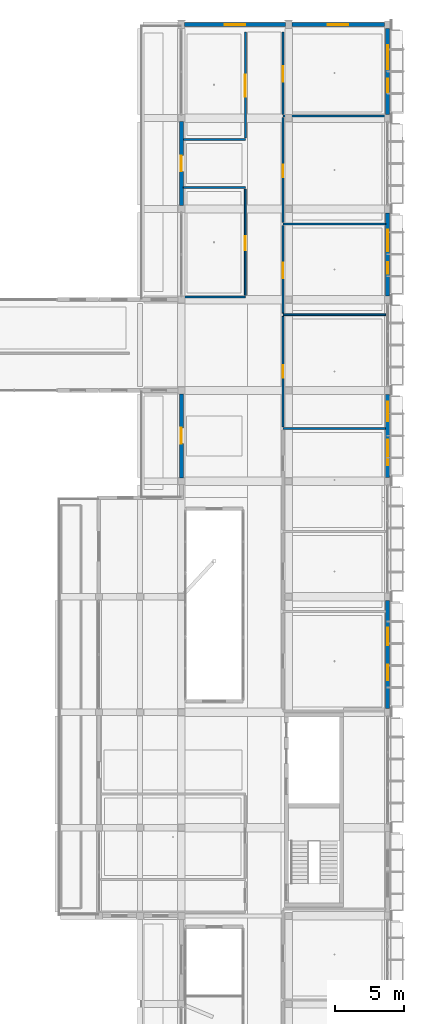
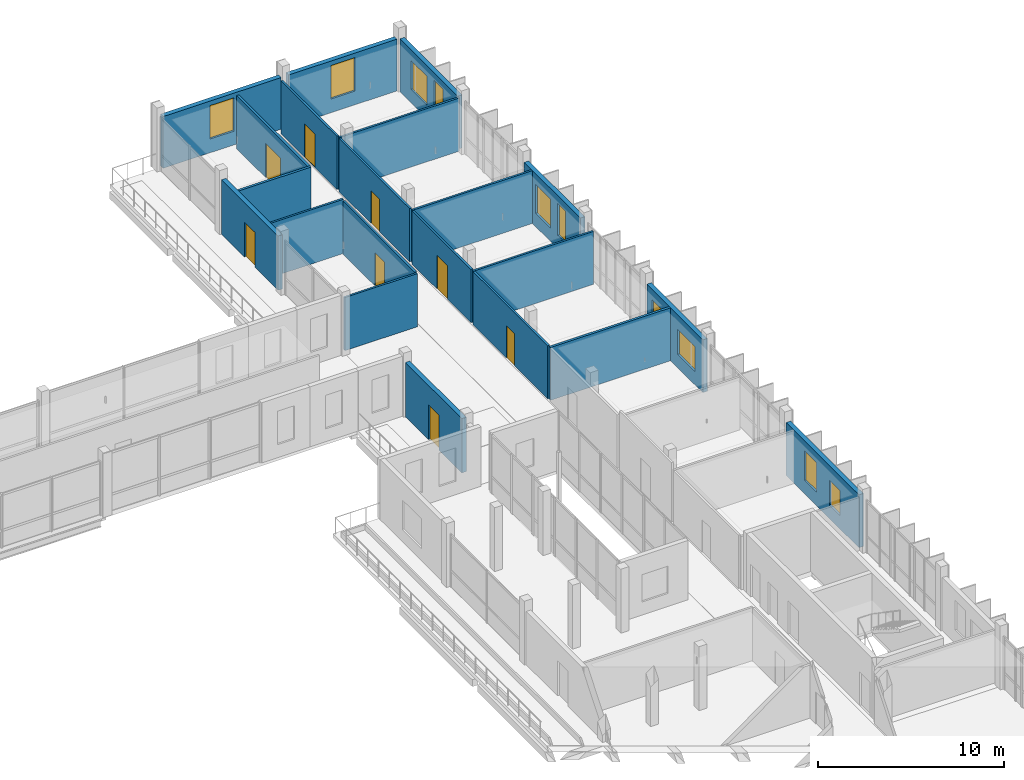
# One storey, part 55 of 85: 21 walls, 10 windows, 8 doors, 18 openings.
"""IFC4 building model written with IfcOpenShell, lengths in metres."""

from ifc_helpers import new_model, si_unit, derived_unit, direction, frame, frame_2d, origin, origin_with_axes, place, context, subcontext, project, spatial, rectangle, extrude, material, layer, layer_set, type_object, element, fill, save


model = new_model("IFC4")

# Units and contexts
model_context = context("Model", 3, precision=1e-05, world=origin(), true_north=direction((0.0, 1.0)))
body_context = subcontext(model_context, "Body", "Model", "MODEL_VIEW")
ifc_project = project(units=[si_unit("LENGTHUNIT", "METRE"), si_unit("AREAUNIT", "SQUARE_METRE"), si_unit("VOLUMEUNIT", "CUBIC_METRE"), si_unit("PLANEANGLEUNIT", "RADIAN"), si_unit("MASSUNIT", "GRAM", prefix="KILO"), derived_unit("THERMALTRANSMITTANCEUNIT", [(si_unit("POWERUNIT", "WATT"), 1), (si_unit("LENGTHUNIT", "METRE"), -2), (si_unit("THERMODYNAMICTEMPERATUREUNIT", "KELVIN"), -1)])], contexts=[model_context])

# Site, building, storey
site_placement = place(None, origin())
site = spatial("IfcSite", under=ifc_project, at=site_placement, CompositionType="ELEMENT")
building_placement = place(site_placement, origin())
building = spatial("IfcBuilding", under=site, at=building_placement, Name="Braskholm Square Health Centre", CompositionType="ELEMENT")
storey_placement = place(building_placement, frame((0.0, 0.0, 9.300048828125)))
storey = spatial("IfcBuildingStorey", under=building, at=storey_placement, Name="L03", CompositionType="ELEMENT", Elevation=9.300048828125)

# Wall, opening, door
ifc_material_1 = material(Name="Acoustic gypsum board partition")
ifc_layer_1 = layer(ifc_material_1, 0.125)
ifc_layer_set_1 = layer_set([ifc_layer_1], Name="Acoustic gypsum board partition")
wall_type_1 = type_object("IfcWallType", Name="ClinicalExamPartition125", PredefinedType="PARTITIONING", material=ifc_layer_set_1)
wall_1_placement = place(storey_placement, frame((156.199951171875, 84.56005859375, 0.0), z_axis=(0.0, 0.0, 1.0), x_axis=(0.0, 1.0, 0.0)))
wall_1 = element("IfcWall", 1, at=wall_1_placement, inside=storey, type_object=wall_type_1, Name="Interior partition PWALL-L03-0401", PredefinedType="PARTITIONING", context=body_context, shape_type="SweptSolid", body=[
    extrude(rectangle(XDim=8.030029296875, YDim=0.125, at=frame_2d((4.01513671875, 0.0))), origin(), (0.0, 0.0, 1.0), 3.494873046875),
])
opening_1_placement = place(wall_1_placement, frame((3.56494140625, 0.0, 0.0)))
opening_1 = element("IfcOpeningElement", 2, at=opening_1_placement, cuts=wall_1, Name="Opening D-07", PredefinedType="OPENING", context=body_context, shape_type="SweptSolid", body=[
    extrude(rectangle(XDim=0.89990234375, YDim=2.1201171875, at=frame_2d((0.449951171875, 1.06005859375))), frame((0.0, 0.072509765625, 0.0), z_axis=(0.0, -1.0, 0.0), x_axis=(1.0, 0.0, 0.0)), (0.0, 0.0, 1.0), 0.14501953125),
])
ifc_material_2 = material(Name="Architectural bronze anodised aluminium", Category="aluminium")
door_type_1 = type_object("IfcDoorType", Name="DoorProviderOffice900x2120", OperationType="NOTDEFINED", PredefinedType="DOOR", material=ifc_material_2)
door_1_placement = place(opening_1_placement, frame((0.89990234375, 0.0, 0.0), z_axis=(0.0, 0.0, 1.0), x_axis=(-1.0, 0.0, 0.0)))
door_1 = element("IfcDoor", 3, at=door_1_placement, inside=storey, type_object=door_type_1, Name="Interior door 0188 L03", OperationType="SINGLE_SWING_RIGHT", OverallHeight=2.1201171875, OverallWidth=0.89990234375, PredefinedType="DOOR", context=body_context, shape_type="SweptSolid", body=[
    extrude(rectangle(XDim=0.89990234375, YDim=2.1201171875, at=frame_2d((0.449951171875, 1.06005859375))), frame((0.0, 0.02490234375, 0.0), z_axis=(0.0, -1.0, 0.0), x_axis=(1.0, 0.0, 0.0)), (0.0, 0.0, 1.0), 0.050048828125),
])
fill(opening_1, door_1)

# Wall
wall_2_placement = place(storey_placement, frame((156.199951171875, 92.7099609375, 0.0), z_axis=(0.0, 0.0, 1.0), x_axis=(1.0, 0.0, 0.0)))
element("IfcWall", 4, at=wall_2_placement, inside=storey, type_object=wall_type_1, Name="Interior partition PWALL-L03-0402", PredefinedType="PARTITIONING", context=body_context, shape_type="SweptSolid", body=[
    extrude(rectangle(XDim=7.4599609375, YDim=0.125, at=frame_2d((3.72998046875, 0.0))), origin(), (0.0, 0.0, 1.0), 3.474853515625),
])

# Wall, opening, door
wall_3_placement = place(storey_placement, frame((156.199951171875, 92.830078125, 0.0), z_axis=(0.0, 0.0, 1.0), x_axis=(0.0, 1.0, 0.0)))
wall_3 = element("IfcWall", 5, at=wall_3_placement, inside=storey, type_object=wall_type_1, Name="Interior partition PWALL-L03-0403", PredefinedType="PARTITIONING", context=body_context, shape_type="SweptSolid", body=[
    extrude(rectangle(XDim=6.349853515625, YDim=0.125, at=frame_2d((3.1748046875, 0.0))), origin(), (0.0, 0.0, 1.0), 3.494873046875),
])
opening_2_placement = place(wall_3_placement, frame((2.529052734375, 0.0, 0.0)))
opening_2 = element("IfcOpeningElement", 6, at=opening_2_placement, cuts=wall_3, Name="Opening D-26", PredefinedType="OPENING", context=body_context, shape_type="SweptSolid", body=[
    extrude(rectangle(XDim=1.139892578125, YDim=2.219970703125, at=frame_2d((0.56982421875, 1.10986328125))), frame((0.0, 0.072509765625, 0.0), z_axis=(0.0, -1.0, 0.0), x_axis=(1.0, 0.0, 0.0)), (0.0, 0.0, 1.0), 0.14501953125),
])
door_type_2 = type_object("IfcDoorType", Name="DoorExamWide1140x2220", OperationType="NOTDEFINED", PredefinedType="DOOR", material=ifc_material_2)
door_2_placement = place(opening_2_placement, frame((1.139892578125, 0.0, 0.0), z_axis=(0.0, 0.0, 1.0), x_axis=(-1.0, 0.0, 0.0)))
door_2 = element("IfcDoor", 7, at=door_2_placement, inside=storey, type_object=door_type_2, Name="Interior door 0189 L03", OperationType="SINGLE_SWING_LEFT", OverallHeight=2.219970703125, OverallWidth=1.139892578125, PredefinedType="DOOR", context=body_context, shape_type="SweptSolid", body=[
    extrude(rectangle(XDim=1.139892578125, YDim=2.219970703125, at=frame_2d((0.56982421875, 1.10986328125))), frame((0.0, 0.02490234375, 0.0), z_axis=(0.0, -1.0, 0.0), x_axis=(1.0, 0.0, 0.0)), (0.0, 0.0, 1.0), 0.050048828125),
])
fill(opening_2, door_2)

# Wall
wall_4_placement = place(storey_placement, frame((156.199951171875, 99.300048828125, 0.0), z_axis=(0.0, 0.0, 1.0), x_axis=(1.0, 0.0, 0.0)))
element("IfcWall", 8, at=wall_4_placement, inside=storey, type_object=wall_type_1, Name="Interior partition PWALL-L03-0404", PredefinedType="PARTITIONING", context=body_context, shape_type="SweptSolid", body=[
    extrude(rectangle(XDim=7.4599609375, YDim=0.125, at=frame_2d((3.72998046875, 0.0))), origin(), (0.0, 0.0, 1.0), 3.474853515625),
])

# Wall, opening, door
wall_5_placement = place(storey_placement, frame((156.199951171875, 99.419921875, 0.0), z_axis=(0.0, 0.0, 1.0), x_axis=(0.0, 1.0, 0.0)))
wall_5 = element("IfcWall", 9, at=wall_5_placement, inside=storey, type_object=wall_type_1, Name="Interior partition PWALL-L03-0405", PredefinedType="PARTITIONING", context=body_context, shape_type="SweptSolid", body=[
    extrude(rectangle(XDim=7.610107421875, YDim=0.125, at=frame_2d((3.80517578125, 0.0))), origin(), (0.0, 0.0, 1.0), 3.494873046875),
])
opening_3_placement = place(wall_5_placement, frame((3.27001953125, 0.0, 0.0)))
opening_3 = element("IfcOpeningElement", 10, at=opening_3_placement, cuts=wall_5, Name="Opening D-01", PredefinedType="OPENING", context=body_context, shape_type="SweptSolid", body=[
    extrude(rectangle(XDim=0.919921875, YDim=2.14990234375, at=frame_2d((0.4599609375, 1.074951171875))), frame((0.0, 0.072509765625, 0.0), z_axis=(0.0, -1.0, 0.0), x_axis=(1.0, 0.0, 0.0)), (0.0, 0.0, 1.0), 0.14501953125),
])
door_type_3 = type_object("IfcDoorType", Name="DoorConsultSingle920x2150", OperationType="NOTDEFINED", PredefinedType="DOOR", material=ifc_material_2)
door_3_placement = place(opening_3_placement, frame((0.919921875, 0.0, 0.0), z_axis=(0.0, 0.0, 1.0), x_axis=(-1.0, 0.0, 0.0)))
door_3 = element("IfcDoor", 11, at=door_3_placement, inside=storey, type_object=door_type_3, Name="Interior door 0190 L03", OperationType="SINGLE_SWING_RIGHT", OverallHeight=2.14990234375, OverallWidth=0.919921875, PredefinedType="DOOR", context=body_context, shape_type="SweptSolid", body=[
    extrude(rectangle(XDim=0.919921875, YDim=2.14990234375, at=frame_2d((0.4599609375, 1.074951171875))), frame((0.0, 0.02490234375, 0.0), z_axis=(0.0, -1.0, 0.0), x_axis=(1.0, 0.0, 0.0)), (0.0, 0.0, 1.0), 0.050048828125),
])
fill(opening_3, door_3)

# Wall
wall_6_placement = place(storey_placement, frame((156.199951171875, 107.14990234375, 0.0), z_axis=(0.0, 0.0, 1.0), x_axis=(1.0, 0.0, 0.0)))
element("IfcWall", 12, at=wall_6_placement, inside=storey, type_object=wall_type_1, Name="Interior partition PWALL-L03-0406", PredefinedType="PARTITIONING", context=body_context, shape_type="SweptSolid", body=[
    extrude(rectangle(XDim=7.4599609375, YDim=0.125, at=frame_2d((3.72998046875, 0.0))), origin(), (0.0, 0.0, 1.0), 3.494873046875),
])

# Wall, opening, door
wall_7_placement = place(storey_placement, frame((156.199951171875, 107.27001953125, 0.0), z_axis=(0.0, 0.0, 1.0), x_axis=(0.0, 1.0, 0.0)))
wall_7 = element("IfcWall", 13, at=wall_7_placement, inside=storey, type_object=wall_type_1, Name="Interior partition PWALL-L03-0407", PredefinedType="PARTITIONING", context=body_context, shape_type="SweptSolid", body=[
    extrude(rectangle(XDim=6.010009765625, YDim=0.125, at=frame_2d((3.0048828125, 0.0))), origin(), (0.0, 0.0, 1.0), 3.494873046875),
])
opening_4_placement = place(wall_7_placement, frame((2.3701171875, 0.0, 0.0)))
opening_4 = element("IfcOpeningElement", 14, at=opening_4_placement, cuts=wall_7, Name="Opening D-03", PredefinedType="OPENING", context=body_context, shape_type="SweptSolid", body=[
    extrude(rectangle(XDim=1.1201171875, YDim=2.199951171875, at=frame_2d((0.56005859375, 1.10009765625))), frame((0.0, 0.072509765625, 0.0), z_axis=(0.0, -1.0, 0.0), x_axis=(1.0, 0.0, 0.0)), (0.0, 0.0, 1.0), 0.14501953125),
])
door_type_4 = type_object("IfcDoorType", Name="DoorProcedure1120x2200", OperationType="NOTDEFINED", PredefinedType="DOOR", material=ifc_material_2)
door_4_placement = place(opening_4_placement, frame((1.1201171875, 0.0, 0.0), z_axis=(0.0, 0.0, 1.0), x_axis=(-1.0, 0.0, 0.0)))
door_4 = element("IfcDoor", 15, at=door_4_placement, inside=storey, type_object=door_type_4, Name="Interior door 0191 L03", OperationType="SINGLE_SWING_LEFT", OverallHeight=2.199951171875, OverallWidth=1.1201171875, PredefinedType="DOOR", context=body_context, shape_type="SweptSolid", body=[
    extrude(rectangle(XDim=1.1201171875, YDim=2.199951171875, at=frame_2d((0.56005859375, 1.10009765625))), frame((0.0, 0.02490234375, 0.0), z_axis=(0.0, -1.0, 0.0), x_axis=(1.0, 0.0, 0.0)), (0.0, 0.0, 1.0), 0.050048828125),
])
fill(opening_4, door_4)

wall_8_placement = place(storey_placement, frame((153.449951171875, 94.1201171875, 0.0), z_axis=(0.0, 0.0, 1.0), x_axis=(0.0, 1.0, 0.0)))
wall_8 = element("IfcWall", 16, at=wall_8_placement, inside=storey, type_object=wall_type_1, Name="Interior partition PWALL-L03-0420", PredefinedType="PARTITIONING", context=body_context, shape_type="SweptSolid", body=[
    extrude(rectangle(XDim=7.7099609375, YDim=0.125, at=frame_2d((3.85498046875, 0.0))), origin(), (0.0, 0.0, 1.0), 3.494873046875),
])
opening_5_placement = place(wall_8_placement, frame((3.27001953125, 0.0, 0.0)))
opening_5 = element("IfcOpeningElement", 17, at=opening_5_placement, cuts=wall_8, Name="Opening D-25", PredefinedType="OPENING", context=body_context, shape_type="SweptSolid", body=[
    extrude(rectangle(XDim=1.02001953125, YDim=2.179931640625, at=frame_2d((0.510009765625, 1.08984375))), frame((0.0, 0.072509765625, 0.0), z_axis=(0.0, -1.0, 0.0), x_axis=(1.0, 0.0, 0.0)), (0.0, 0.0, 1.0), 0.14501953125),
])
door_type_5 = type_object("IfcDoorType", Name="DoorConsultWide1020x2180", OperationType="NOTDEFINED", PredefinedType="DOOR", material=ifc_material_2)
door_5_placement = place(opening_5_placement, origin_with_axes())
door_5 = element("IfcDoor", 18, at=door_5_placement, inside=storey, type_object=door_type_5, Name="Interior door 0198 L03", OperationType="SINGLE_SWING_LEFT", OverallHeight=2.179931640625, OverallWidth=1.02001953125, PredefinedType="DOOR", context=body_context, shape_type="SweptSolid", body=[
    extrude(rectangle(XDim=1.02001953125, YDim=2.179931640625, at=frame_2d((0.510009765625, 1.08984375))), frame((0.0, 0.02490234375, 0.0), z_axis=(0.0, -1.0, 0.0), x_axis=(1.0, 0.0, 0.0)), (0.0, 0.0, 1.0), 0.050048828125),
])
fill(opening_5, door_5)

# Walls
wall_9_placement = place(storey_placement, frame((148.93994140625, 94.0, 0.0), z_axis=(0.0, 0.0, 1.0), x_axis=(1.0, 0.0, 0.0)))
element("IfcWall", 19, at=wall_9_placement, inside=storey, type_object=wall_type_1, Name="Interior partition PWALL-L03-0421", PredefinedType="PARTITIONING", context=body_context, shape_type="SweptSolid", body=[
    extrude(rectangle(XDim=4.510009765625, YDim=0.125, at=frame_2d((2.2548828125, 0.0))), origin(), (0.0, 0.0, 1.0), 3.494873046875),
])
wall_10_placement = place(storey_placement, frame((148.93994140625, 101.949951171875, 0.0), z_axis=(0.0, 0.0, 1.0), x_axis=(1.0, 0.0, 0.0)))
element("IfcWall", 20, at=wall_10_placement, inside=storey, type_object=wall_type_1, Name="Interior partition PWALL-L03-0422", PredefinedType="PARTITIONING", context=body_context, shape_type="SweptSolid", body=[
    extrude(rectangle(XDim=4.510009765625, YDim=0.125, at=frame_2d((2.2548828125, 0.0))), origin(), (0.0, 0.0, 1.0), 3.56494140625),
])
ifc_layer_2 = layer(ifc_material_1, 0.14990234375)
ifc_layer_set_2 = layer_set([ifc_layer_2], Name="Acoustic gypsum board partition")
wall_type_2 = type_object("IfcWallType", Name="CorridorAcousticPartition150", PredefinedType="PARTITIONING", material=ifc_layer_set_2)
wall_11_placement = place(storey_placement, frame((156.199951171875, 84.43994140625, 0.0), z_axis=(0.0, 0.0, 1.0), x_axis=(1.0, 0.0, 0.0)))
element("IfcWall", 21, at=wall_11_placement, inside=storey, type_object=wall_type_2, Name="Interior partition PWALL-L03-0400", PredefinedType="PARTITIONING", context=body_context, shape_type="SweptSolid", body=[
    extrude(rectangle(XDim=7.4599609375, YDim=0.14990234375, at=frame_2d((3.72998046875, 0.0))), origin(), (0.0, 0.0, 1.0), 3.474853515625),
])

# Wall, opening, door
wall_12_placement = place(storey_placement, frame((153.449951171875, 105.570068359375, 0.0), z_axis=(0.0, 0.0, 1.0), x_axis=(0.0, 1.0, 0.0)))
wall_12 = element("IfcWall", 22, at=wall_12_placement, inside=storey, type_object=wall_type_2, Name="Interior partition PWALL-L03-0423", PredefinedType="PARTITIONING", context=body_context, shape_type="SweptSolid", body=[
    extrude(rectangle(XDim=7.7099609375, YDim=0.14990234375, at=frame_2d((3.85498046875, 0.0))), origin(), (0.0, 0.0, 1.0), 3.494873046875),
])
opening_6_placement = place(wall_12_placement, frame((2.97900390625, 0.0, 0.0)))
opening_6 = element("IfcOpeningElement", 23, at=opening_6_placement, cuts=wall_12, Name="Opening D-11", PredefinedType="OPENING", context=body_context, shape_type="SweptSolid", body=[
    extrude(rectangle(XDim=1.60009765625, YDim=2.25, at=frame_2d((0.800048828125, 1.125))), frame((0.0, 0.0849609375, 0.0), z_axis=(0.0, -1.0, 0.0), x_axis=(1.0, 0.0, 0.0)), (0.0, 0.0, 1.0), 0.169921875),
])
door_type_6 = type_object("IfcDoorType", Name="DoorClassroomDouble1600x2250", OperationType="DOUBLE_DOOR_SINGLE_SWING", PredefinedType="DOOR", material=ifc_material_2)
door_6_placement = place(opening_6_placement, origin_with_axes())
door_6 = element("IfcDoor", 24, at=door_6_placement, inside=storey, type_object=door_type_6, Name="Interior door 0199 L03", OperationType="DOUBLE_DOOR_SINGLE_SWING", OverallHeight=2.25, OverallWidth=1.60009765625, PredefinedType="DOOR", context=body_context, shape_type="SweptSolid", body=[
    extrude(rectangle(XDim=1.60009765625, YDim=2.25, at=frame_2d((0.800048828125, 1.125))), frame((0.0, 0.02490234375, 0.0), z_axis=(0.0, -1.0, 0.0), x_axis=(1.0, 0.0, 0.0)), (0.0, 0.0, 1.0), 0.050048828125),
])
fill(opening_6, door_6)

# Wall
wall_13_placement = place(storey_placement, frame((148.93994140625, 105.449951171875, 0.0), z_axis=(0.0, 0.0, 1.0), x_axis=(1.0, 0.0, 0.0)))
element("IfcWall", 25, at=wall_13_placement, inside=storey, type_object=wall_type_2, Name="Interior partition PWALL-L03-0424", PredefinedType="PARTITIONING", context=body_context, shape_type="SweptSolid", body=[
    extrude(rectangle(XDim=4.510009765625, YDim=0.14990234375, at=frame_2d((2.2548828125, 0.0))), origin(), (0.0, 0.0, 1.0), 3.56494140625),
])

# Wall, openings, windows
ifc_material_3 = material(Name="Precast concrete C40/50 architectural white", Category="concrete")
ifc_layer_3 = layer(ifc_material_3, 0.280029296875)
ifc_layer_set_3 = layer_set([ifc_layer_3], Name="Precast concrete C40/50 architectural white")
wall_type_3 = type_object("IfcWallType", Name="ExteriorPrecastSpandrelWall280", PredefinedType="SOLIDWALL", material=ifc_layer_set_3)
wall_14_placement = place(storey_placement, frame((163.800048828125, 64.08203125, 0.0), z_axis=(0.0, 0.0, 1.0), x_axis=(0.0, 1.0, 0.0)))
wall_14 = element("IfcWall", 26, at=wall_14_placement, inside=storey, type_object=wall_type_3, Name="Exterior wall EWALL-L03-0074", PredefinedType="SOLIDWALL", context=body_context, shape_type="SweptSolid", body=[
    extrude(rectangle(XDim=7.8359375, YDim=0.280029296875, at=frame_2d((3.91796875, 0.0))), origin(), (0.0, 0.0, 1.0), 3.47998046875),
])
opening_7_placement = place(wall_14_placement, frame((2.037109375, 0.0, 0.8798828125)))
opening_7 = element("IfcOpeningElement", 27, at=opening_7_placement, cuts=wall_14, Name="Opening WN-19", PredefinedType="OPENING", context=body_context, shape_type="SweptSolid", body=[
    extrude(rectangle(XDim=1.14990234375, YDim=1.64990234375, at=frame_2d((0.574951171875, 0.824951171875))), frame((0.0, 0.14990234375, 0.0), z_axis=(0.0, -1.0, 0.0), x_axis=(1.0, 0.0, 0.0)), (0.0, 0.0, 1.0), 0.300048828125),
])
opening_8_placement = place(wall_14_placement, frame((4.583984375, 0.0, 0.8798828125)))
opening_8 = element("IfcOpeningElement", 28, at=opening_8_placement, cuts=wall_14, Name="Opening WN-35", PredefinedType="OPENING", context=body_context, shape_type="SweptSolid", body=[
    extrude(rectangle(XDim=1.280029296875, YDim=1.949951171875, at=frame_2d((0.64013671875, 0.97509765625))), frame((0.0, 0.14990234375, 0.0), z_axis=(0.0, -1.0, 0.0), x_axis=(1.0, 0.0, 0.0)), (0.0, 0.0, 1.0), 0.300048828125),
])
ifc_material_4 = material(Name="Low-E triple insulating glass (VLT 0.64)", Category="glass")
window_type_1 = type_object("IfcWindowType", Name="WinArtDecoMed1280x1950", PartitioningType="SINGLE_PANEL", PredefinedType="WINDOW", material=ifc_material_4)
window_1_placement = place(opening_8_placement, origin_with_axes())
window_1 = element("IfcWindow", 29, at=window_1_placement, inside=storey, type_object=window_type_1, Name="Exterior window 0130 L03", OverallHeight=1.949951171875, OverallWidth=1.280029296875, PartitioningType="SINGLE_PANEL", PredefinedType="WINDOW", context=body_context, shape_type="SweptSolid", body=[
    extrude(rectangle(XDim=1.280029296875, YDim=1.949951171875, at=frame_2d((0.64013671875, 0.97509765625))), frame((0.0, 0.030029296875, 0.0), z_axis=(0.0, -1.0, 0.0), x_axis=(1.0, 0.0, 0.0)), (0.0, 0.0, 1.0), 0.06005859375),
])
fill(opening_8, window_1)
window_type_2 = type_object("IfcWindowType", Name="WinBehavioralCalm1150x1650", PartitioningType="SINGLE_PANEL", PredefinedType="WINDOW", material=ifc_material_4)
window_2_placement = place(opening_7_placement, origin_with_axes())
window_2 = element("IfcWindow", 30, at=window_2_placement, inside=storey, type_object=window_type_2, Name="Exterior window 0129 L03", OverallHeight=1.64990234375, OverallWidth=1.14990234375, PartitioningType="SINGLE_PANEL", PredefinedType="WINDOW", context=body_context, shape_type="SweptSolid", body=[
    extrude(rectangle(XDim=1.14990234375, YDim=1.64990234375, at=frame_2d((0.574951171875, 0.824951171875))), frame((0.0, 0.030029296875, 0.0), z_axis=(0.0, -1.0, 0.0), x_axis=(1.0, 0.0, 0.0)), (0.0, 0.0, 1.0), 0.06005859375),
])
fill(opening_7, window_2)

wall_15_placement = place(storey_placement, frame((163.800048828125, 80.882080078125, 0.0), z_axis=(0.0, 0.0, 1.0), x_axis=(0.0, 1.0, 0.0)))
wall_15 = element("IfcWall", 31, at=wall_15_placement, inside=storey, type_object=wall_type_3, Name="Exterior wall EWALL-L03-0075", PredefinedType="SOLIDWALL", context=body_context, shape_type="SweptSolid", body=[
    extrude(rectangle(XDim=6.035888671875, YDim=0.280029296875, at=frame_2d((3.01806640625, 0.0))), origin(), (0.0, 0.0, 1.0), 3.47998046875),
])
opening_9_placement = place(wall_15_placement, frame((0.866943359375, 0.0, 0.8798828125)))
opening_9 = element("IfcOpeningElement", 32, at=opening_9_placement, cuts=wall_15, Name="Opening WN-20", PredefinedType="OPENING", context=body_context, shape_type="SweptSolid", body=[
    extrude(rectangle(XDim=1.85009765625, YDim=1.64990234375, at=frame_2d((0.925048828125, 0.824951171875))), frame((0.0, 0.14990234375, 0.0), z_axis=(0.0, -1.0, 0.0), x_axis=(1.0, 0.0, 0.0)), (0.0, 0.0, 1.0), 0.300048828125),
])
opening_10_placement = place(wall_15_placement, frame((4.074951171875, 0.0, 0.8798828125)))
opening_10 = element("IfcOpeningElement", 33, at=opening_10_placement, cuts=wall_15, Name="Opening WN-36", PredefinedType="OPENING", context=body_context, shape_type="SweptSolid", body=[
    extrude(rectangle(XDim=1.419921875, YDim=1.89990234375, at=frame_2d((0.7099609375, 0.949951171875))), frame((0.0, 0.14990234375, 0.0), z_axis=(0.0, -1.0, 0.0), x_axis=(1.0, 0.0, 0.0)), (0.0, 0.0, 1.0), 0.300048828125),
])
window_type_3 = type_object("IfcWindowType", Name="WinArtDecoMed1420x1900", PartitioningType="SINGLE_PANEL", PredefinedType="WINDOW", material=ifc_material_4)
window_3_placement = place(opening_10_placement, origin_with_axes())
window_3 = element("IfcWindow", 34, at=window_3_placement, inside=storey, type_object=window_type_3, Name="Exterior window 0132 L03", OverallHeight=1.89990234375, OverallWidth=1.419921875, PartitioningType="SINGLE_PANEL", PredefinedType="WINDOW", context=body_context, shape_type="SweptSolid", body=[
    extrude(rectangle(XDim=1.419921875, YDim=1.89990234375, at=frame_2d((0.7099609375, 0.949951171875))), frame((0.0, 0.030029296875, 0.0), z_axis=(0.0, -1.0, 0.0), x_axis=(1.0, 0.0, 0.0)), (0.0, 0.0, 1.0), 0.06005859375),
])
fill(opening_10, window_3)
window_type_4 = type_object("IfcWindowType", Name="WinBehavioralGroup1850x1650", PartitioningType="SINGLE_PANEL", PredefinedType="WINDOW", material=ifc_material_4)
window_4_placement = place(opening_9_placement, origin_with_axes())
window_4 = element("IfcWindow", 35, at=window_4_placement, inside=storey, type_object=window_type_4, Name="Exterior window 0131 L03", OverallHeight=1.64990234375, OverallWidth=1.85009765625, PartitioningType="SINGLE_PANEL", PredefinedType="WINDOW", context=body_context, shape_type="SweptSolid", body=[
    extrude(rectangle(XDim=1.85009765625, YDim=1.64990234375, at=frame_2d((0.925048828125, 0.824951171875))), frame((0.0, 0.030029296875, 0.0), z_axis=(0.0, -1.0, 0.0), x_axis=(1.0, 0.0, 0.0)), (0.0, 0.0, 1.0), 0.06005859375),
])
fill(opening_9, window_4)

wall_16_placement = place(storey_placement, frame((163.800048828125, 94.08203125, 0.0), z_axis=(0.0, 0.0, 1.0), x_axis=(0.0, 1.0, 0.0)))
wall_16 = element("IfcWall", 36, at=wall_16_placement, inside=storey, type_object=wall_type_3, Name="Exterior wall EWALL-L03-0076", PredefinedType="SOLIDWALL", context=body_context, shape_type="SweptSolid", body=[
    extrude(rectangle(XDim=6.035888671875, YDim=0.280029296875, at=frame_2d((3.01806640625, 0.0))), origin(), (0.0, 0.0, 1.0), 3.47998046875),
])
opening_11_placement = place(wall_16_placement, frame((1.5869140625, 0.0, 0.8798828125)))
opening_11 = element("IfcOpeningElement", 37, at=opening_11_placement, cuts=wall_16, Name="Opening WN-32", PredefinedType="OPENING", context=body_context, shape_type="SweptSolid", body=[
    extrude(rectangle(XDim=0.85009765625, YDim=2.10009765625, at=frame_2d((0.425048828125, 1.050048828125))), frame((0.0, 0.14990234375, 0.0), z_axis=(0.0, -1.0, 0.0), x_axis=(1.0, 0.0, 0.0)), (0.0, 0.0, 1.0), 0.300048828125),
])
opening_12_placement = place(wall_16_placement, frame((3.23388671875, 0.0, 0.8798828125)))
opening_12 = element("IfcOpeningElement", 38, at=opening_12_placement, cuts=wall_16, Name="Opening WN-37", PredefinedType="OPENING", context=body_context, shape_type="SweptSolid", body=[
    extrude(rectangle(XDim=1.580078125, YDim=1.89990234375, at=frame_2d((0.7900390625, 0.949951171875))), frame((0.0, 0.14990234375, 0.0), z_axis=(0.0, -1.0, 0.0), x_axis=(1.0, 0.0, 0.0)), (0.0, 0.0, 1.0), 0.300048828125),
])
window_type_5 = type_object("IfcWindowType", Name="WinArtDecoNarrow850x2100", PartitioningType="SINGLE_PANEL", PredefinedType="WINDOW", material=ifc_material_4)
window_5_placement = place(opening_11_placement, origin_with_axes())
window_5 = element("IfcWindow", 39, at=window_5_placement, inside=storey, type_object=window_type_5, Name="Exterior window 0133 L03", OverallHeight=2.10009765625, OverallWidth=0.85009765625, PartitioningType="SINGLE_PANEL", PredefinedType="WINDOW", context=body_context, shape_type="SweptSolid", body=[
    extrude(rectangle(XDim=0.85009765625, YDim=2.10009765625, at=frame_2d((0.425048828125, 1.050048828125))), frame((0.0, 0.030029296875, 0.0), z_axis=(0.0, -1.0, 0.0), x_axis=(1.0, 0.0, 0.0)), (0.0, 0.0, 1.0), 0.06005859375),
])
fill(opening_11, window_5)
window_type_6 = type_object("IfcWindowType", Name="WinArtDecoWide1580x1900", PartitioningType="SINGLE_PANEL", PredefinedType="WINDOW", material=ifc_material_4)
window_6_placement = place(opening_12_placement, origin_with_axes())
window_6 = element("IfcWindow", 40, at=window_6_placement, inside=storey, type_object=window_type_6, Name="Exterior window 0134 L03", OverallHeight=1.89990234375, OverallWidth=1.580078125, PartitioningType="SINGLE_PANEL", PredefinedType="WINDOW", context=body_context, shape_type="SweptSolid", body=[
    extrude(rectangle(XDim=1.580078125, YDim=1.89990234375, at=frame_2d((0.7900390625, 0.949951171875))), frame((0.0, 0.030029296875, 0.0), z_axis=(0.0, -1.0, 0.0), x_axis=(1.0, 0.0, 0.0)), (0.0, 0.0, 1.0), 0.06005859375),
])
fill(opening_12, window_6)

wall_17_placement = place(storey_placement, frame((163.800048828125, 107.281982421875, 0.0), z_axis=(0.0, 0.0, 1.0), x_axis=(0.0, 1.0, 0.0)))
wall_17 = element("IfcWall", 41, at=wall_17_placement, inside=storey, type_object=wall_type_3, Name="Exterior wall EWALL-L03-0077", PredefinedType="SOLIDWALL", context=body_context, shape_type="SweptSolid", body=[
    extrude(rectangle(XDim=6.236083984375, YDim=0.280029296875, at=frame_2d((3.1181640625, 0.0))), origin(), (0.0, 0.0, 1.0), 3.47998046875),
])
opening_13_placement = place(wall_17_placement, frame((1.589111328125, 0.0, 0.8798828125)))
opening_13 = element("IfcOpeningElement", 42, at=opening_13_placement, cuts=wall_17, Name="Opening WN-33", PredefinedType="OPENING", context=body_context, shape_type="SweptSolid", body=[
    extrude(rectangle(XDim=0.97998046875, YDim=2.10009765625, at=frame_2d((0.489990234375, 1.050048828125))), frame((0.0, 0.14990234375, 0.0), z_axis=(0.0, -1.0, 0.0), x_axis=(1.0, 0.0, 0.0)), (0.0, 0.0, 1.0), 0.300048828125),
])
opening_14_placement = place(wall_17_placement, frame((3.287109375, 0.0, 0.8798828125)))
opening_14 = element("IfcOpeningElement", 43, at=opening_14_placement, cuts=wall_17, Name="Opening WN-38", PredefinedType="OPENING", context=body_context, shape_type="SweptSolid", body=[
    extrude(rectangle(XDim=1.739990234375, YDim=1.89990234375, at=frame_2d((0.8701171875, 0.949951171875))), frame((0.0, 0.14990234375, 0.0), z_axis=(0.0, -1.0, 0.0), x_axis=(1.0, 0.0, 0.0)), (0.0, 0.0, 1.0), 0.300048828125),
])
window_type_7 = type_object("IfcWindowType", Name="WinArtDecoNarrow980x2100", PartitioningType="SINGLE_PANEL", PredefinedType="WINDOW", material=ifc_material_4)
window_7_placement = place(opening_13_placement, origin_with_axes())
window_7 = element("IfcWindow", 44, at=window_7_placement, inside=storey, type_object=window_type_7, Name="Exterior window 0135 L03", OverallHeight=2.10009765625, OverallWidth=0.97998046875, PartitioningType="SINGLE_PANEL", PredefinedType="WINDOW", context=body_context, shape_type="SweptSolid", body=[
    extrude(rectangle(XDim=0.97998046875, YDim=2.10009765625, at=frame_2d((0.489990234375, 1.050048828125))), frame((0.0, 0.030029296875, 0.0), z_axis=(0.0, -1.0, 0.0), x_axis=(1.0, 0.0, 0.0)), (0.0, 0.0, 1.0), 0.06005859375),
])
fill(opening_13, window_7)
window_type_8 = type_object("IfcWindowType", Name="WinArtDecoWide1740x1900", PartitioningType="SINGLE_PANEL", PredefinedType="WINDOW", material=ifc_material_4)
window_8_placement = place(opening_14_placement, origin_with_axes())
window_8 = element("IfcWindow", 45, at=window_8_placement, inside=storey, type_object=window_type_8, Name="Exterior window 0136 L03", OverallHeight=1.89990234375, OverallWidth=1.739990234375, PartitioningType="SINGLE_PANEL", PredefinedType="WINDOW", context=body_context, shape_type="SweptSolid", body=[
    extrude(rectangle(XDim=1.739990234375, YDim=1.89990234375, at=frame_2d((0.8701171875, 0.949951171875))), frame((0.0, 0.030029296875, 0.0), z_axis=(0.0, -1.0, 0.0), x_axis=(1.0, 0.0, 0.0)), (0.0, 0.0, 1.0), 0.06005859375),
])
fill(opening_14, window_8)

# Wall, opening, door
wall_18_placement = place(storey_placement, frame((148.800048828125, 86.947998046875, 0.0), z_axis=(0.0, 0.0, 1.0), x_axis=(0.0, -1.0, 0.0)))
wall_18 = element("IfcWall", 46, at=wall_18_placement, inside=storey, type_object=wall_type_3, Name="Exterior wall EWALL-L03-0190", PredefinedType="SOLIDWALL", context=body_context, shape_type="SweptSolid", body=[
    extrude(rectangle(XDim=6.095947265625, YDim=0.280029296875, at=frame_2d((3.0478515625, 0.0))), origin(), (0.0, 0.0, 1.0), 3.570068359375),
])
opening_15_placement = place(wall_18_placement, frame((2.47802734375, 0.0, 0.0)))
opening_15 = element("IfcOpeningElement", 47, at=opening_15_placement, cuts=wall_18, Name="Opening D-T1", PredefinedType="OPENING", context=body_context, shape_type="SweptSolid", body=[
    extrude(rectangle(XDim=1.139892578125, YDim=2.300048828125, at=frame_2d((0.56982421875, 1.14990234375))), frame((0.0, 0.14990234375, 0.0), z_axis=(0.0, -1.0, 0.0), x_axis=(1.0, 0.0, 0.0)), (0.0, 0.0, 1.0), 0.300048828125),
])
door_type_7 = type_object("IfcDoorType", Name="DoorPlantedTerrace1140x2300", OperationType="NOTDEFINED", PredefinedType="DOOR", material=ifc_material_4)
door_7_placement = place(opening_15_placement, frame((1.139892578125, 0.0, 0.0), z_axis=(0.0, 0.0, 1.0), x_axis=(-1.0, 0.0, 0.0)))
door_7 = element("IfcDoor", 48, at=door_7_placement, inside=storey, type_object=door_type_7, Name="Exterior door 0029 L03", OperationType="SINGLE_SWING_RIGHT", OverallHeight=2.300048828125, OverallWidth=1.139892578125, PredefinedType="DOOR", context=body_context, shape_type="SweptSolid", body=[
    extrude(rectangle(XDim=1.139892578125, YDim=2.300048828125, at=frame_2d((0.56982421875, 1.14990234375))), frame((0.0, 0.02490234375, 0.0), z_axis=(0.0, -1.0, 0.0), x_axis=(1.0, 0.0, 0.0)), (0.0, 0.0, 1.0), 0.050048828125),
])
fill(opening_15, door_7)

wall_19_placement = place(storey_placement, frame((148.800048828125, 106.748046875, 0.0), z_axis=(0.0, 0.0, 1.0), x_axis=(0.0, -1.0, 0.0)))
wall_19 = element("IfcWall", 49, at=wall_19_placement, inside=storey, type_object=wall_type_3, Name="Exterior wall EWALL-L03-0191", PredefinedType="SOLIDWALL", context=body_context, shape_type="SweptSolid", body=[
    extrude(rectangle(XDim=6.095947265625, YDim=0.280029296875, at=frame_2d((3.0478515625, 0.0))), origin(), (0.0, 0.0, 1.0), 3.570068359375),
])
opening_16_placement = place(wall_19_placement, frame((2.47802734375, 0.0, 0.0)))
opening_16 = element("IfcOpeningElement", 50, at=opening_16_placement, cuts=wall_19, Name="Opening D-T1", PredefinedType="OPENING", context=body_context, shape_type="SweptSolid", body=[
    extrude(rectangle(XDim=1.139892578125, YDim=2.300048828125, at=frame_2d((0.56982421875, 1.14990234375))), frame((0.0, 0.14990234375, 0.0), z_axis=(0.0, -1.0, 0.0), x_axis=(1.0, 0.0, 0.0)), (0.0, 0.0, 1.0), 0.300048828125),
])
door_8_placement = place(opening_16_placement, frame((1.139892578125, 0.0, 0.0), z_axis=(0.0, 0.0, 1.0), x_axis=(-1.0, 0.0, 0.0)))
door_8 = element("IfcDoor", 51, at=door_8_placement, inside=storey, type_object=door_type_7, Name="Exterior door 0030 L03", OperationType="SINGLE_SWING_RIGHT", OverallHeight=2.300048828125, OverallWidth=1.139892578125, PredefinedType="DOOR", context=body_context, shape_type="SweptSolid", body=[
    extrude(rectangle(XDim=1.139892578125, YDim=2.300048828125, at=frame_2d((0.56982421875, 1.14990234375))), frame((0.0, 0.02490234375, 0.0), z_axis=(0.0, -1.0, 0.0), x_axis=(1.0, 0.0, 0.0)), (0.0, 0.0, 1.0), 0.050048828125),
])
fill(opening_16, door_8)

# Wall, opening, window
wall_20_placement = place(storey_placement, frame((163.568115234375, 113.800048828125, 0.0), z_axis=(0.0, 0.0, 1.0), x_axis=(-1.0, 0.0, 0.0)))
wall_20 = element("IfcWall", 52, at=wall_20_placement, inside=storey, type_object=wall_type_3, Name="Exterior wall EWALL-L03-0249", PredefinedType="SOLIDWALL", context=body_context, shape_type="SweptSolid", body=[
    extrude(rectangle(XDim=6.736083984375, YDim=0.280029296875, at=frame_2d((3.3681640625, 0.0))), origin(), (0.0, 0.0, 1.0), 3.39990234375),
])
opening_17_placement = place(wall_20_placement, frame((2.617919921875, 0.0, 0.89990234375)))
opening_17 = element("IfcOpeningElement", 53, at=opening_17_placement, cuts=wall_20, Name="Opening WN-03", PredefinedType="OPENING", context=body_context, shape_type="SweptSolid", body=[
    extrude(rectangle(XDim=1.5, YDim=2.199951171875, at=frame_2d((0.75, 1.10009765625))), frame((0.0, 0.14990234375, 0.0), z_axis=(0.0, -1.0, 0.0), x_axis=(1.0, 0.0, 0.0)), (0.0, 0.0, 1.0), 0.300048828125),
])
window_type_9 = type_object("IfcWindowType", Name="WinArtDecoTwin1500x2200", PartitioningType="SINGLE_PANEL", PredefinedType="WINDOW", material=ifc_material_4)
window_9_placement = place(opening_17_placement, origin_with_axes())
window_9 = element("IfcWindow", 54, at=window_9_placement, inside=storey, type_object=window_type_9, Name="Exterior window 0299 L03", OverallHeight=2.199951171875, OverallWidth=1.5, PartitioningType="SINGLE_PANEL", PredefinedType="WINDOW", context=body_context, shape_type="SweptSolid", body=[
    extrude(rectangle(XDim=1.5, YDim=2.199951171875, at=frame_2d((0.75, 1.10009765625))), frame((0.0, 0.030029296875, 0.0), z_axis=(0.0, -1.0, 0.0), x_axis=(1.0, 0.0, 0.0)), (0.0, 0.0, 1.0), 0.06005859375),
])
fill(opening_17, window_9)

wall_21_placement = place(storey_placement, frame((156.367919921875, 113.800048828125, 0.0), z_axis=(0.0, 0.0, 1.0), x_axis=(-1.0, 0.0, 0.0)))
wall_21 = element("IfcWall", 55, at=wall_21_placement, inside=storey, type_object=wall_type_3, Name="Exterior wall EWALL-L03-0250", PredefinedType="SOLIDWALL", context=body_context, shape_type="SweptSolid", body=[
    extrude(rectangle(XDim=7.3359375, YDim=0.280029296875, at=frame_2d((3.66796875, 0.0))), origin(), (0.0, 0.0, 1.0), 3.39990234375),
])
opening_18_placement = place(wall_21_placement, frame((2.91796875, 0.0, 0.89990234375)))
opening_18 = element("IfcOpeningElement", 56, at=opening_18_placement, cuts=wall_21, Name="Opening WN-03", PredefinedType="OPENING", context=body_context, shape_type="SweptSolid", body=[
    extrude(rectangle(XDim=1.5, YDim=2.199951171875, at=frame_2d((0.75, 1.10009765625))), frame((0.0, 0.14990234375, 0.0), z_axis=(0.0, -1.0, 0.0), x_axis=(1.0, 0.0, 0.0)), (0.0, 0.0, 1.0), 0.300048828125),
])
window_10_placement = place(opening_18_placement, origin_with_axes())
window_10 = element("IfcWindow", 57, at=window_10_placement, inside=storey, type_object=window_type_9, Name="Exterior window 0300 L03", OverallHeight=2.199951171875, OverallWidth=1.5, PartitioningType="SINGLE_PANEL", PredefinedType="WINDOW", context=body_context, shape_type="SweptSolid", body=[
    extrude(rectangle(XDim=1.5, YDim=2.199951171875, at=frame_2d((0.75, 1.10009765625))), frame((0.0, 0.030029296875, 0.0), z_axis=(0.0, -1.0, 0.0), x_axis=(1.0, 0.0, 0.0)), (0.0, 0.0, 1.0), 0.06005859375),
])
fill(opening_18, window_10)

save(model, "model.ifc")
